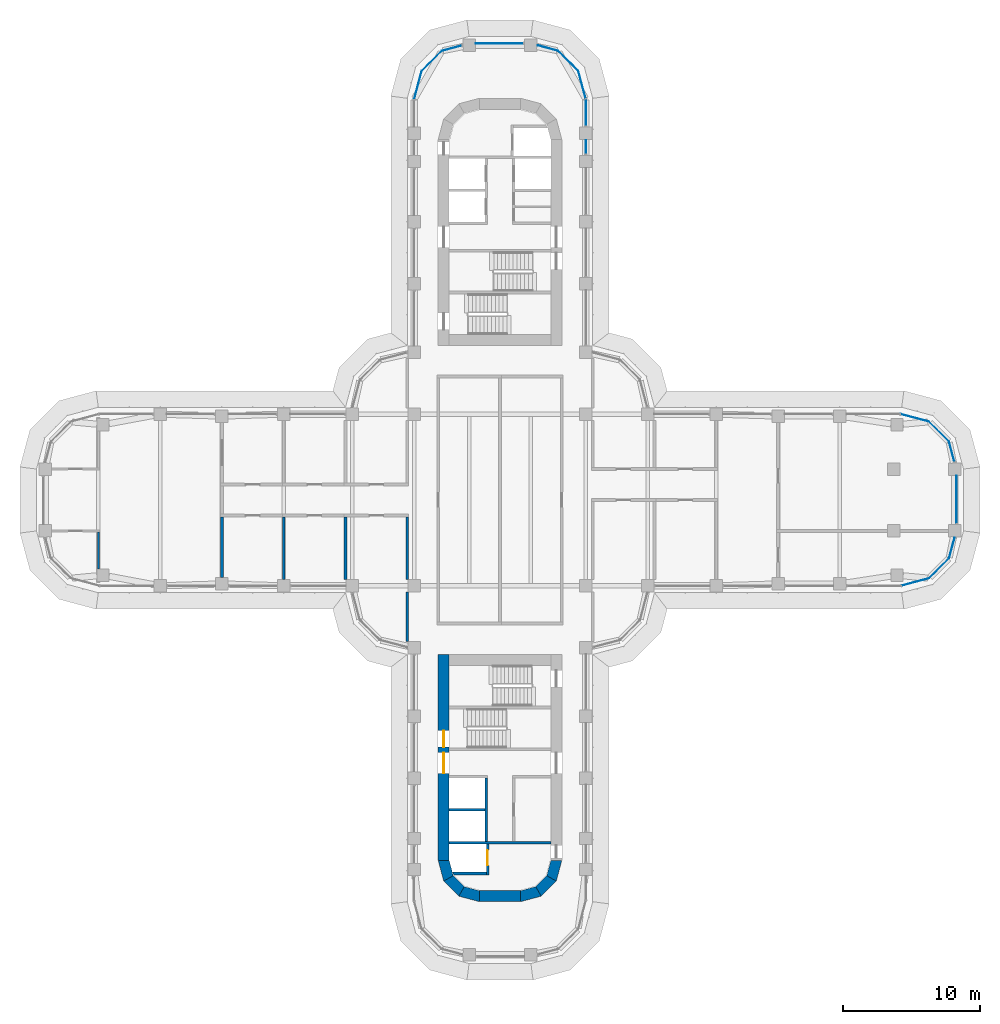
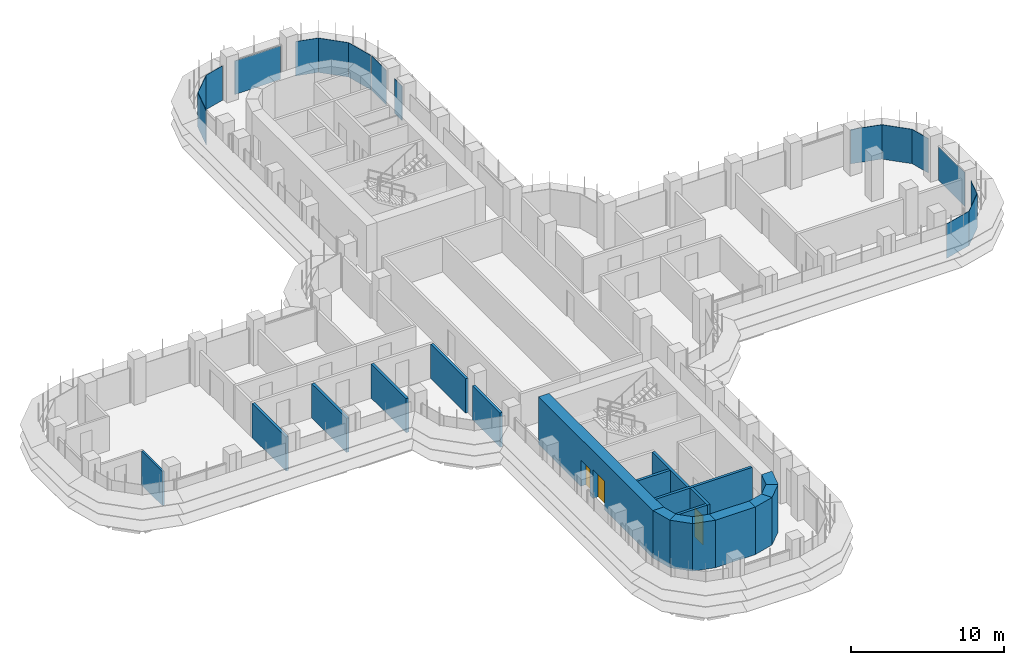
# One storey, part 16 of 23: 19 walls, 16 plates, 3 doors, 3 openings, 15 elements without a shape of their own.
"""IFC4 building model written with IfcOpenShell, lengths in metres."""

from ifc_helpers import new_model, si_unit, direction, frame, frame_2d, origin, place, context, subcontext, project, spatial, polyline, rectangle, outline, extrude, source, transform, mapped, material, layer, layer_set, type_object, element, fill, aggregate, save


model = new_model("IFC4")

# Units and contexts
model_context = context("Model", 3, precision=1e-05, world=origin(), true_north=direction((0.0, 1.0)))
body_context = subcontext(model_context, "Body", "Model", "MODEL_VIEW")
ifc_project = project(units=[si_unit("LENGTHUNIT", "METRE"), si_unit("AREAUNIT", "SQUARE_METRE"), si_unit("VOLUMEUNIT", "CUBIC_METRE"), si_unit("PLANEANGLEUNIT", "RADIAN"), si_unit("MASSUNIT", "GRAM", prefix="KILO")], contexts=[model_context])

# Site, building, storey
site_placement = place(None, origin())
site = spatial("IfcSite", under=ifc_project, at=site_placement, CompositionType="ELEMENT")
building_placement = place(site_placement, origin())
building = spatial("IfcBuilding", under=site, at=building_placement, Name="Zarbagh Exchange Tower", CompositionType="ELEMENT")
storey_placement = place(building_placement, frame((0.0, 0.0, 86.60009765625)))
storey = spatial("IfcBuildingStorey", under=building, at=storey_placement, Name="L19", CompositionType="ELEMENT", Elevation=86.60009765625)

# Curtain wall, plate
ifc_material_1 = material(Name="Anodised aluminium frame and glazing", Category="aluminium")
curtain_wall_type = type_object("IfcCurtainWallType", Name="CWA Ribbon glazing, lower zones", PredefinedType="NOTDEFINED", material=ifc_material_1)
curtain_wall_1_placement = place(storey_placement, origin())
curtain_wall_1 = element("IfcCurtainWall", 1, at=curtain_wall_1_placement, inside=storey, type_object=curtain_wall_type, Name="CWA13 curtain wall", PredefinedType="NOTDEFINED")
ifc_material_2 = material(Name="Low-e double glazed unit, 6+12+6 mm")
ifc_layer_1 = layer(ifc_material_2, 0.028076171875)
ifc_layer_set_1 = layer_set([ifc_layer_1], Name="PAA Glazing panel, Low-e double glazed unit, 6+12+6 mm")
plate_type = type_object("IfcPlateType", Name="PAA Glazing panel, Low-e double glazed unit, 6+12+6 mm", PredefinedType="CURTAIN_PANEL", material=ifc_layer_set_1)
shared_shape_1 = source(origin(), body_context, "Body", "SweptSolid", [
    extrude(outline(polyline([(0.0, -0.013916015625), (1.494140625, -0.013916015625), (1.494140625, 0.013916015625), (0.0, 0.013916015625), (0.0, -0.013916015625)])), origin(), (0.0, 0.0, 1.0), 2.75),
])
placement = place(storey_placement, origin())
plate_1 = element("IfcPlate", 2, at=placement, type_object=plate_type, Name="CWA13 glazing panel 1.1", PredefinedType="CURTAIN_PANEL", context=body_context, shape_type="MappedRepresentation", body=[
    mapped(shared_shape_1, transform((33.08544921875, 2.7978515625, 0.0), x_axis=(-0.258824779902, 0.965924289636, 0.0), y_axis=(-0.965924289636, -0.258824779902, 0.0), z_axis=(0.0, 0.0, 1.0))),
])
aggregate(curtain_wall_1, [plate_1])

curtain_wall_2_placement = place(storey_placement, origin())
curtain_wall_2 = element("IfcCurtainWall", 3, at=curtain_wall_2_placement, inside=storey, type_object=curtain_wall_type, Name="CWA25 curtain wall", PredefinedType="NOTDEFINED")
plate_2 = element("IfcPlate", 4, at=placement, type_object=plate_type, Name="CWA25 glazing panel 1.1", PredefinedType="CURTAIN_PANEL", context=body_context, shape_type="MappedRepresentation", body=[
    mapped(shared_shape_1, transform((-2.7978515625, 33.08544921875, 0.0), x_axis=(-0.965924289636, -0.258824779902, 0.0), y_axis=(0.258824779902, -0.965924289636, 0.0), z_axis=(0.0, 0.0, 1.0))),
])
aggregate(curtain_wall_2, [plate_2])

curtain_wall_3_placement = place(storey_placement, origin())
curtain_wall_3 = element("IfcCurtainWall", 5, at=curtain_wall_3_placement, inside=storey, type_object=curtain_wall_type, Name="CWA10 curtain wall", PredefinedType="NOTDEFINED")
shared_shape_2 = source(origin(), body_context, "Body", "SweptSolid", [
    extrude(outline(polyline([(0.0, -0.013916015625), (2.061279296875, -0.013916015625), (2.061279296875, 0.013916015625), (0.0, 0.013916015625), (0.0, -0.013916015625)])), origin(), (0.0, 0.0, 1.0), 2.75),
])
plate_3 = element("IfcPlate", 6, at=placement, type_object=plate_type, Name="CWA10 glazing panel 1.1", PredefinedType="CURTAIN_PANEL", context=body_context, shape_type="MappedRepresentation", body=[
    mapped(shared_shape_2, transform((31.2412109375, -5.69873046875, 0.0), x_axis=(0.707106781187, 0.707106781187, 0.0), y_axis=(-0.707106781187, 0.707106781187, 0.0), z_axis=(0.0, 0.0, 1.0))),
])
aggregate(curtain_wall_3, [plate_3])

curtain_wall_4_placement = place(storey_placement, origin())
curtain_wall_4 = element("IfcCurtainWall", 7, at=curtain_wall_4_placement, inside=storey, type_object=curtain_wall_type, Name="CWA14 curtain wall", PredefinedType="NOTDEFINED")
plate_4 = element("IfcPlate", 8, at=placement, type_object=plate_type, Name="CWA14 glazing panel 1.1", PredefinedType="CURTAIN_PANEL", context=body_context, shape_type="MappedRepresentation", body=[
    mapped(shared_shape_2, transform((32.69873046875, 4.2412109375, 0.0), x_axis=(-0.707106781187, 0.707106781187, 0.0), y_axis=(-0.707106781187, -0.707106781187, 0.0), z_axis=(0.0, 0.0, 1.0))),
])
aggregate(curtain_wall_4, [plate_4])

curtain_wall_5_placement = place(storey_placement, origin())
curtain_wall_5 = element("IfcCurtainWall", 9, at=curtain_wall_5_placement, inside=storey, type_object=curtain_wall_type, Name="CWA22 curtain wall", PredefinedType="NOTDEFINED")
plate_5 = element("IfcPlate", 10, at=placement, type_object=plate_type, Name="CWA22 glazing panel 1.1", PredefinedType="CURTAIN_PANEL", context=body_context, shape_type="MappedRepresentation", body=[
    mapped(shared_shape_2, transform((5.69873046875, 31.2412109375, 0.0), x_axis=(-0.707106781187, 0.707106781187, 0.0), y_axis=(-0.707106781187, -0.707106781187, 0.0), z_axis=(0.0, 0.0, 1.0))),
])
aggregate(curtain_wall_5, [plate_5])

curtain_wall_6_placement = place(storey_placement, origin())
curtain_wall_6 = element("IfcCurtainWall", 11, at=curtain_wall_6_placement, inside=storey, type_object=curtain_wall_type, Name="CWA26 curtain wall", PredefinedType="NOTDEFINED")
plate_6 = element("IfcPlate", 12, at=placement, type_object=plate_type, Name="CWA26 glazing panel 1.1", PredefinedType="CURTAIN_PANEL", context=body_context, shape_type="MappedRepresentation", body=[
    mapped(shared_shape_2, transform((-4.2412109375, 32.69873046875, 0.0), x_axis=(-0.707106781187, -0.707106781187, 0.0), y_axis=(0.707106781187, -0.707106781187, 0.0), z_axis=(0.0, 0.0, 1.0))),
])
aggregate(curtain_wall_6, [plate_6])

curtain_wall_7_placement = place(storey_placement, origin())
curtain_wall_7 = element("IfcCurtainWall", 13, at=curtain_wall_7_placement, inside=storey, type_object=curtain_wall_type, Name="CWA15 curtain wall", PredefinedType="NOTDEFINED")
shared_shape_3 = source(origin(), body_context, "Body", "SweptSolid", [
    extrude(outline(polyline([(0.0, -0.013916015625), (2.129638671875, -0.013916015625), (2.129638671875, 0.013916015625), (0.0, 0.013916015625), (0.0, -0.013916015625)])), origin(), (0.0, 0.0, 1.0), 2.75),
])
plate_7 = element("IfcPlate", 14, at=placement, type_object=plate_type, Name="CWA15 glazing panel 1.1", PredefinedType="CURTAIN_PANEL", context=body_context, shape_type="MappedRepresentation", body=[
    mapped(shared_shape_3, transform((31.2412109375, 5.69873046875, 0.0), x_axis=(-0.965924289636, 0.258824779902, 0.0), y_axis=(-0.258824779902, -0.965924289636, 0.0), z_axis=(0.0, 0.0, 1.0))),
])
aggregate(curtain_wall_7, [plate_7])

curtain_wall_8_placement = place(storey_placement, origin())
curtain_wall_8 = element("IfcCurtainWall", 15, at=curtain_wall_8_placement, inside=storey, type_object=curtain_wall_type, Name="CWA27 curtain wall", PredefinedType="NOTDEFINED")
plate_8 = element("IfcPlate", 16, at=placement, type_object=plate_type, Name="CWA27 glazing panel 1.1", PredefinedType="CURTAIN_PANEL", context=body_context, shape_type="MappedRepresentation", body=[
    mapped(shared_shape_3, transform((-5.69873046875, 31.2412109375, 0.0), x_axis=(-0.258824779902, -0.965924289636, 0.0), y_axis=(0.965924289636, -0.258824779902, 0.0), z_axis=(0.0, 0.0, 1.0))),
])
aggregate(curtain_wall_8, [plate_8])

curtain_wall_9_placement = place(storey_placement, origin())
curtain_wall_9 = element("IfcCurtainWall", 17, at=curtain_wall_9_placement, inside=storey, type_object=curtain_wall_type, Name="CWA09 curtain wall", PredefinedType="NOTDEFINED")
shared_shape_4 = source(origin(), body_context, "Body", "SweptSolid", [
    extrude(outline(polyline([(0.0, -0.013916015625), (2.069580078125, -0.013916015625), (2.069580078125, 0.013916015625), (0.0, 0.013916015625), (0.0, -0.013916015625)])), origin(), (0.0, 0.0, 1.0), 2.75),
])
plate_9 = element("IfcPlate", 18, at=placement, type_object=plate_type, Name="CWA09 glazing panel 1.1", PredefinedType="CURTAIN_PANEL", context=body_context, shape_type="MappedRepresentation", body=[
    mapped(shared_shape_4, transform((29.2421875, -6.234375, 0.0), x_axis=(0.965924289636, 0.258824779902, 0.0), y_axis=(-0.258824779902, 0.965924289636, 0.0), z_axis=(0.0, 0.0, 1.0))),
])
aggregate(curtain_wall_9, [plate_9])

curtain_wall_10_placement = place(storey_placement, origin())
curtain_wall_10 = element("IfcCurtainWall", 19, at=curtain_wall_10_placement, inside=storey, type_object=curtain_wall_type, Name="CWA21 curtain wall", PredefinedType="NOTDEFINED")
plate_10 = element("IfcPlate", 20, at=placement, type_object=plate_type, Name="CWA21 glazing panel 1.1", PredefinedType="CURTAIN_PANEL", context=body_context, shape_type="MappedRepresentation", body=[
    mapped(shared_shape_4, transform((6.234375, 29.2421875, 0.0), x_axis=(-0.258824779902, 0.965924289636, 0.0), y_axis=(-0.965924289636, -0.258824779902, 0.0), z_axis=(0.0, 0.0, 1.0))),
])
aggregate(curtain_wall_10, [plate_10])

curtain_wall_11_placement = place(storey_placement, origin())
curtain_wall_11 = element("IfcCurtainWall", 21, at=curtain_wall_11_placement, inside=storey, type_object=curtain_wall_type, Name="CWA11 curtain wall", PredefinedType="NOTDEFINED")
shared_shape_5 = source(origin(), body_context, "Body", "SweptSolid", [
    extrude(outline(polyline([(0.0, -0.013916015625), (1.55419921875, -0.013916015625), (1.55419921875, 0.013916015625), (0.0, 0.013916015625), (0.0, -0.013916015625)])), origin(), (0.0, 0.0, 1.0), 2.75),
])
plate_11 = element("IfcPlate", 22, at=placement, type_object=plate_type, Name="CWA11 glazing panel 1.1", PredefinedType="CURTAIN_PANEL", context=body_context, shape_type="MappedRepresentation", body=[
    mapped(shared_shape_5, transform((32.69873046875, -4.2412109375, 0.0), x_axis=(0.258824779902, 0.965924289636, 0.0), y_axis=(-0.965924289636, 0.258824779902, 0.0), z_axis=(0.0, 0.0, 1.0))),
])
aggregate(curtain_wall_11, [plate_11])

curtain_wall_12_placement = place(storey_placement, origin())
curtain_wall_12 = element("IfcCurtainWall", 23, at=curtain_wall_12_placement, inside=storey, type_object=curtain_wall_type, Name="CWA23 curtain wall", PredefinedType="NOTDEFINED")
plate_12 = element("IfcPlate", 24, at=placement, type_object=plate_type, Name="CWA23 glazing panel 1.1", PredefinedType="CURTAIN_PANEL", context=body_context, shape_type="MappedRepresentation", body=[
    mapped(shared_shape_5, transform((4.2412109375, 32.69873046875, 0.0), x_axis=(-0.965924289636, 0.258824779902, 0.0), y_axis=(-0.258824779902, -0.965924289636, 0.0), z_axis=(0.0, 0.0, 1.0))),
])
aggregate(curtain_wall_12, [plate_12])

curtain_wall_13_placement = place(storey_placement, origin())
curtain_wall_13 = element("IfcCurtainWall", 25, at=curtain_wall_13_placement, inside=storey, type_object=curtain_wall_type, Name="CWA12 curtain wall", PredefinedType="NOTDEFINED")
shared_shape_6 = source(origin(), body_context, "Body", "SweptSolid", [
    extrude(outline(polyline([(0.0, -0.013916015625), (3.4599609375, -0.013916015625), (3.4599609375, 0.013916015625), (0.0, 0.013916015625), (0.0, -0.013916015625)])), origin(), (0.0, 0.0, 1.0), 2.68994140625),
])
plate_13 = element("IfcPlate", 26, at=placement, type_object=plate_type, Name="CWA12 glazing panel 1.1", PredefinedType="CURTAIN_PANEL", context=body_context, shape_type="MappedRepresentation", body=[
    mapped(shared_shape_6, transform((33.25, -1.699951171875, 0.0), x_axis=(0.0, 1.0, 0.0), y_axis=(-1.0, 0.0, 0.0), z_axis=(0.0, 0.0, 1.0))),
])
aggregate(curtain_wall_13, [plate_13])

curtain_wall_14_placement = place(storey_placement, origin())
curtain_wall_14 = element("IfcCurtainWall", 27, at=curtain_wall_14_placement, inside=storey, type_object=curtain_wall_type, Name="CWA24 curtain wall", PredefinedType="NOTDEFINED")
plate_14 = element("IfcPlate", 28, at=placement, type_object=plate_type, Name="CWA24 glazing panel 1.1", PredefinedType="CURTAIN_PANEL", context=body_context, shape_type="MappedRepresentation", body=[
    mapped(shared_shape_6, transform((1.699951171875, 33.25, 0.0), x_axis=(-1.0, 0.0, 0.0), y_axis=(0.0, -1.0, 0.0), z_axis=(0.0, 0.0, 1.0))),
])
aggregate(curtain_wall_14, [plate_14])

# Curtain wall, plates
curtain_wall_15_placement = place(storey_placement, origin())
curtain_wall_15 = element("IfcCurtainWall", 29, at=curtain_wall_15_placement, inside=storey, type_object=curtain_wall_type, Name="CWA20 curtain wall", PredefinedType="NOTDEFINED")
shared_shape_7 = source(origin(), body_context, "Body", "SweptSolid", [
    extrude(outline(polyline([(0.0, -0.013916015625), (1.010009765625, -0.013916015625), (1.010009765625, 0.013916015625), (0.0, 0.013916015625), (0.0, -0.013916015625)])), origin(), (0.0, 0.0, 1.0), 2.75),
])
plate_15 = element("IfcPlate", 30, at=placement, type_object=plate_type, Name="CWA20 glazing panel 4.1", PredefinedType="CURTAIN_PANEL", context=body_context, shape_type="MappedRepresentation", body=[
    mapped(shared_shape_7, transform((6.25, 25.199951171875, 0.0), x_axis=(0.0, 1.0, 0.0), y_axis=(-1.0, 0.0, 0.0), z_axis=(0.0, 0.0, 1.0))),
])
shared_shape_8 = source(origin(), body_context, "Body", "SweptSolid", [
    extrude(outline(polyline([(0.0, -0.013916015625), (1.93408203125, -0.013916015625), (1.93408203125, 0.013916015625), (0.0, 0.013916015625), (0.0, -0.013916015625)])), origin(), (0.0, 0.0, 1.0), 2.75),
])
plate_16 = element("IfcPlate", 31, at=placement, type_object=plate_type, Name="CWA20 glazing panel 5.1", PredefinedType="CURTAIN_PANEL", context=body_context, shape_type="MappedRepresentation", body=[
    mapped(shared_shape_8, transform((6.25, 27.25, 0.0), x_axis=(0.0, 1.0, 0.0), y_axis=(-1.0, 0.0, 0.0), z_axis=(0.0, 0.0, 1.0))),
])
aggregate(curtain_wall_15, [plate_15, plate_16])

# Walls
ifc_material_3 = material(Name="Plasterboard partition")
ifc_layer_2 = layer(ifc_material_3, 0.14990234375)
ifc_layer_set_2 = layer_set([ifc_layer_2], Name="PARTITION 150")
wall_type_1 = type_object("IfcWallType", Name="PARTITION 150", PredefinedType="PARTITIONING", material=ifc_layer_set_2)
wall_1_placement = place(storey_placement, frame((-29.25, -5.02490234375, 0.0), z_axis=(0.0, 0.0, 1.0), x_axis=(0.0, 1.0, 0.0)))
element("IfcWall", 32, at=wall_1_placement, inside=storey, type_object=wall_type_1, Name="Partition W-643", PredefinedType="PARTITIONING", context=body_context, shape_type="SweptSolid", body=[
    extrude(rectangle(XDim=2.699951171875, YDim=0.14990234375, at=frame_2d((1.35009765625, 0.0))), origin(), (0.0, 0.0, 1.0), 2.738037109375),
])
ifc_material_4 = material(Name="Fire-rated plasterboard partition")
ifc_layer_3 = layer(ifc_material_4, 0.199951171875)
ifc_layer_set_3 = layer_set([ifc_layer_3], Name="RATED PARTITION 200")
wall_type_2 = type_object("IfcWallType", Name="RATED PARTITION 200", PredefinedType="PARTITIONING", material=ifc_layer_set_3)
wall_2_placement = place(storey_placement, frame((-6.75, -10.300048828125, 0.0), z_axis=(0.0, 0.0, 1.0), x_axis=(0.0, 1.0, 0.0)))
element("IfcWall", 33, at=wall_2_placement, inside=storey, type_object=wall_type_2, Name="Partition W-604", PredefinedType="PARTITIONING", context=body_context, shape_type="SweptSolid", body=[
    extrude(rectangle(XDim=3.60009765625, YDim=0.199951171875, at=frame_2d((1.800048828125, 0.0))), origin(), (0.0, 0.0, 1.0), 2.738037109375),
])
for number, where, z_axis, x_axis, name in (
    (34, (-6.75, -5.800048828125, 0.0), (0.0, 0.0, 1.0), (0.0, 1.0, 0.0), "Partition W-605"),
    (35, (-11.25, -5.800048828125, 0.0), (0.0, 0.0, 1.0), (0.0, 1.0, 0.0), "Partition W-636"),
    (36, (-15.75, -5.800048828125, 0.0), (0.0, 0.0, 1.0), (0.0, 1.0, 0.0), "Partition W-639"),
):
    element("IfcWall", number, at=place(storey_placement, frame(where, z_axis=z_axis, x_axis=x_axis)), inside=storey, type_object=wall_type_2, Name=name, PredefinedType="PARTITIONING", context=body_context, shape_type="SweptSolid", body=[
        extrude(rectangle(XDim=4.574951171875, YDim=0.199951171875, at=frame_2d((2.28759765625, 0.0))), origin(), (0.0, 0.0, 1.0), 2.738037109375),
    ])
wall_3_placement = place(storey_placement, frame((-20.25, -5.659912109375, 0.0), z_axis=(0.0, 0.0, 1.0), x_axis=(0.0, 1.0, 0.0)))
element("IfcWall", 37, at=wall_3_placement, inside=storey, type_object=wall_type_2, Name="Partition W-640", PredefinedType="PARTITIONING", context=body_context, shape_type="SweptSolid", body=[
    extrude(rectangle(XDim=4.434814453125, YDim=0.199951171875, at=frame_2d((2.21728515625, 0.0))), origin(), (0.0, 0.0, 1.0), 2.738037109375),
])
ifc_material_5 = material(Name="Concrete C60/75", Category="concrete")
ifc_layer_4 = layer(ifc_material_5, 0.800048828125)
ifc_layer_set_4 = layer_set([ifc_layer_4], Name="RC core corner wall 800 C60/75")
wall_type_3 = type_object("IfcWallType", Name="RC core corner wall 800 C60/75", PredefinedType="SHEAR", material=ifc_layer_set_4)
wall_4_placement = place(storey_placement, origin())
element("IfcWall", 38, at=wall_4_placement, inside=storey, type_object=wall_type_3, Name="CW4 core S corner W", PredefinedType="SHEAR", context=body_context, shape_type="SweptSolid", body=[
    extrude(outline(polyline([(-4.5, -26.25), (-4.09814453125, -27.75), (-3.4052734375, -27.35009765625), (-3.699951171875, -26.25), (-4.5, -26.25)])), origin(), (0.0, 0.0, 1.0), 3.7998046875),
])
wall_5_placement = place(storey_placement, origin())
element("IfcWall", 39, at=wall_5_placement, inside=storey, type_object=wall_type_3, Name="CW4 core S corner W", PredefinedType="SHEAR", context=body_context, shape_type="SweptSolid", body=[
    extrude(outline(polyline([(-4.09814453125, -27.75), (-3.0, -28.84814453125), (-2.60009765625, -28.1552734375), (-3.4052734375, -27.35009765625), (-4.09814453125, -27.75)])), origin(), (0.0, 0.0, 1.0), 3.7998046875),
])
wall_6_placement = place(storey_placement, origin())
element("IfcWall", 40, at=wall_6_placement, inside=storey, type_object=wall_type_3, Name="CW4 core S corner W", PredefinedType="SHEAR", context=body_context, shape_type="SweptSolid", body=[
    extrude(outline(polyline([(-3.0, -28.84814453125), (-1.5, -29.25), (-1.5, -28.449951171875), (-2.60009765625, -28.1552734375), (-3.0, -28.84814453125)])), origin(), (0.0, 0.0, 1.0), 3.7998046875),
])
wall_7_placement = place(storey_placement, origin())
element("IfcWall", 41, at=wall_7_placement, inside=storey, type_object=wall_type_3, Name="CW4 core S corner E", PredefinedType="SHEAR", context=body_context, shape_type="SweptSolid", body=[
    extrude(outline(polyline([(4.5, -26.25), (4.09814453125, -27.75), (3.4052734375, -27.35009765625), (3.699951171875, -26.25), (4.5, -26.25)])), origin(), (0.0, 0.0, 1.0), 3.7998046875),
])
wall_8_placement = place(storey_placement, origin())
element("IfcWall", 42, at=wall_8_placement, inside=storey, type_object=wall_type_3, Name="CW4 core S corner E", PredefinedType="SHEAR", context=body_context, shape_type="SweptSolid", body=[
    extrude(outline(polyline([(4.09814453125, -27.75), (3.0, -28.84814453125), (2.60009765625, -28.1552734375), (3.4052734375, -27.35009765625), (4.09814453125, -27.75)])), origin(), (0.0, 0.0, 1.0), 3.7998046875),
])
wall_9_placement = place(storey_placement, origin())
element("IfcWall", 43, at=wall_9_placement, inside=storey, type_object=wall_type_3, Name="CW4 core S corner E", PredefinedType="SHEAR", context=body_context, shape_type="SweptSolid", body=[
    extrude(outline(polyline([(3.0, -28.84814453125), (1.5, -29.25), (1.5, -28.449951171875), (2.60009765625, -28.1552734375), (3.0, -28.84814453125)])), origin(), (0.0, 0.0, 1.0), 3.7998046875),
])

# Wall, openings, doors
ifc_layer_5 = layer(ifc_material_5, 0.800048828125)
ifc_layer_set_5 = layer_set([ifc_layer_5], Name="RC core wall 800 C60/75")
wall_type_4 = type_object("IfcWallType", Name="RC core wall 800 C60/75", PredefinedType="SHEAR", material=ifc_layer_set_5)
wall_10_placement = place(storey_placement, frame((-4.10009765625, -11.25, 0.0), z_axis=(0.0, 0.0, 1.0), x_axis=(0.0, -1.0, 0.0)))
wall_10 = element("IfcWall", 44, at=wall_10_placement, inside=storey, type_object=wall_type_4, Name="CW3 core S W", PredefinedType="SHEAR", context=body_context, shape_type="SweptSolid", body=[
    extrude(rectangle(XDim=15.0, YDim=0.800048828125, at=frame_2d((7.5, 0.0))), origin(), (0.0, 0.0, 1.0), 3.7998046875),
])
opening_1_placement = place(wall_10_placement, frame((7.14990234375, 0.0, 0.0)))
opening_1 = element("IfcOpeningElement", 45, at=opening_1_placement, cuts=wall_10, Name="Opening CD1-1500", PredefinedType="OPENING", context=body_context, shape_type="SweptSolid", body=[
    extrude(rectangle(XDim=1.5, YDim=2.300048828125, at=frame_2d((0.75, 1.14990234375))), frame((0.0, 0.409912109375, 0.0), z_axis=(0.0, -1.0, 0.0), x_axis=(1.0, 0.0, 0.0)), (0.0, 0.0, 1.0), 0.820068359375),
])
opening_2_placement = place(wall_10_placement, frame((5.550048828125, 0.0, 0.0)))
opening_2 = element("IfcOpeningElement", 46, at=opening_2_placement, cuts=wall_10, Name="Opening SD1-1200", PredefinedType="OPENING", context=body_context, shape_type="SweptSolid", body=[
    extrude(rectangle(XDim=1.199951171875, YDim=2.10009765625, at=frame_2d((0.60009765625, 1.050048828125))), frame((0.0, 0.409912109375, 0.0), z_axis=(0.0, -1.0, 0.0), x_axis=(1.0, 0.0, 0.0)), (0.0, 0.0, 1.0), 0.820068359375),
])
ifc_material_6 = material(Name="Steel", Category="steel")
door_type_1 = type_object("IfcDoorType", Name="Exit stair door 1200 x 2100", OperationType="NOTDEFINED", PredefinedType="DOOR", material=ifc_material_6)
door_1_placement = place(opening_2_placement, origin())
door_1 = element("IfcDoor", 47, at=door_1_placement, inside=storey, type_object=door_type_1, Name="South core stair door ST1", OperationType="SINGLE_SWING_RIGHT", OverallHeight=2.10009765625, OverallWidth=1.199951171875, PredefinedType="DOOR", context=body_context, shape_type="SweptSolid", body=[
    extrude(rectangle(XDim=1.199951171875, YDim=2.10009765625, at=frame_2d((0.60009765625, 1.050048828125))), frame((0.0, 0.02490234375, 0.0), z_axis=(0.0, -1.0, 0.0), x_axis=(1.0, 0.0, 0.0)), (0.0, 0.0, 1.0), 0.050048828125),
])
fill(opening_2, door_1)
door_type_2 = type_object("IfcDoorType", Name="Lift lobby double door 1500 x 2300", OperationType="NOTDEFINED", PredefinedType="DOOR", material=ifc_material_6)
door_2_placement = place(opening_1_placement, origin())
door_2 = element("IfcDoor", 48, at=door_2_placement, inside=storey, type_object=door_type_2, Name="South core lift lobby door LOBBY-E", OperationType="DOUBLE_DOOR_SINGLE_SWING", OverallHeight=2.300048828125, OverallWidth=1.5, PredefinedType="DOOR", context=body_context, shape_type="SweptSolid", body=[
    extrude(rectangle(XDim=1.5, YDim=2.300048828125, at=frame_2d((0.75, 1.14990234375))), frame((0.0, 0.02490234375, 0.0), z_axis=(0.0, -1.0, 0.0), x_axis=(1.0, 0.0, 0.0)), (0.0, 0.0, 1.0), 0.050048828125),
])
fill(opening_1, door_2)

# Walls
wall_11_placement = place(storey_placement, frame((-1.5, -28.85009765625, 0.0), z_axis=(0.0, 0.0, 1.0), x_axis=(1.0, 0.0, 0.0)))
element("IfcWall", 49, at=wall_11_placement, inside=storey, type_object=wall_type_4, Name="CW3 core S outer end", PredefinedType="SHEAR", context=body_context, shape_type="SweptSolid", body=[
    extrude(rectangle(XDim=3.0, YDim=0.800048828125, at=frame_2d((1.5, 0.0))), origin(), (0.0, 0.0, 1.0), 3.7998046875),
])
ifc_material_7 = material(Name="Dense blockwork", Category="masonry")
ifc_layer_6 = layer(ifc_material_7, 0.199951171875)
ifc_layer_set_6 = layer_set([ifc_layer_6], Name="Shaft wall 200 mm blockwork")
wall_type_5 = type_object("IfcWallType", Name="Shaft wall 200 mm blockwork", PredefinedType="PARTITIONING", material=ifc_layer_set_6)
wall_12_placement = place(storey_placement, frame((-1.0, -24.85009765625, 0.0), z_axis=(0.0, 0.0, 1.0), x_axis=(0.0, 1.0, 0.0)))
element("IfcWall", 50, at=wall_12_placement, inside=storey, type_object=wall_type_5, Name="South core shaft wall LW-E", PredefinedType="PARTITIONING", context=body_context, shape_type="SweptSolid", body=[
    extrude(rectangle(XDim=4.60009765625, YDim=0.199951171875, at=frame_2d((2.300048828125, 0.0))), origin(), (0.0, 0.0, 1.0), 3.64990234375),
])
wall_13_placement = place(storey_placement, frame((-1.10009765625, -22.550048828125, 0.0), z_axis=(0.0, 0.0, 1.0), x_axis=(-1.0, 0.0, 0.0)))
element("IfcWall", 51, at=wall_13_placement, inside=storey, type_object=wall_type_5, Name="South core shaft wall TR-E", PredefinedType="PARTITIONING", context=body_context, shape_type="SweptSolid", body=[
    extrude(rectangle(XDim=2.599853515625, YDim=0.199951171875, at=frame_2d((1.2998046875, 0.0))), origin(), (0.0, 0.0, 1.0), 3.64990234375),
])
ifc_material_8 = material(Name="Concrete C40/50", Category="concrete")
ifc_layer_7 = layer(ifc_material_8, 0.199951171875)
ifc_layer_set_7 = layer_set([ifc_layer_7], Name="Stair enclosure wall 200 mm RC C40/50")
wall_type_6 = type_object("IfcWallType", Name="Stair enclosure wall 200 mm RC C40/50", PredefinedType="SHEAR", material=ifc_layer_set_7)
wall_14_placement = place(storey_placement, frame((3.699951171875, -24.949951171875, 0.0), z_axis=(0.0, 0.0, 1.0), x_axis=(-1.0, 0.0, 0.0)))
element("IfcWall", 52, at=wall_14_placement, inside=storey, type_object=wall_type_6, Name="South core lift shaft wall FFA", PredefinedType="SHEAR", context=body_context, shape_type="SweptSolid", body=[
    extrude(rectangle(XDim=7.39990234375, YDim=0.199951171875, at=frame_2d((3.699951171875, 0.0))), origin(), (0.0, 0.0, 1.0), 3.64990234375),
])

# Wall, opening, door
wall_15_placement = place(storey_placement, frame((-0.89990234375, -27.300048828125, 0.0), z_axis=(0.0, 0.0, 1.0), x_axis=(0.0, 1.0, 0.0)))
wall_15 = element("IfcWall", 53, at=wall_15_placement, inside=storey, type_object=wall_type_6, Name="South core lift shaft wall FFL", PredefinedType="SHEAR", context=body_context, shape_type="SweptSolid", body=[
    extrude(rectangle(XDim=2.25, YDim=0.199951171875, at=frame_2d((1.125, 0.0))), origin(), (0.0, 0.0, 1.0), 3.64990234375),
])
opening_3_placement = place(wall_15_placement, frame((0.699951171875, 0.0, 0.0)))
opening_3 = element("IfcOpeningElement", 54, at=opening_3_placement, cuts=wall_15, Name="Opening LD-1100", PredefinedType="OPENING", context=body_context, shape_type="SweptSolid", body=[
    extrude(rectangle(XDim=1.10009765625, YDim=2.300048828125, at=frame_2d((0.550048828125, 1.14990234375))), frame((0.0, 0.10986328125, 0.0), z_axis=(0.0, -1.0, 0.0), x_axis=(1.0, 0.0, 0.0)), (0.0, 0.0, 1.0), 0.219970703125),
])
ifc_material_9 = material(Name="Stainless steel", Category="steel")
door_type_3 = type_object("IfcDoorType", Name="Lift landing door 1100 x 2300", OperationType="NOTDEFINED", PredefinedType="DOOR", material=ifc_material_9)
door_3_placement = place(opening_3_placement, origin())
door_3 = element("IfcDoor", 55, at=door_3_placement, inside=storey, type_object=door_type_3, Name="South core lift landing door LD-F", OperationType="DOUBLE_DOOR_SLIDING", OverallHeight=2.300048828125, OverallWidth=1.10009765625, PredefinedType="DOOR", context=body_context, shape_type="SweptSolid", body=[
    extrude(rectangle(XDim=1.10009765625, YDim=2.300048828125, at=frame_2d((0.550048828125, 1.14990234375))), frame((0.0, 0.02490234375, 0.0), z_axis=(0.0, -1.0, 0.0), x_axis=(1.0, 0.0, 0.0)), (0.0, 0.0, 1.0), 0.050048828125),
])
fill(opening_3, door_3)

# Wall
wall_16_placement = place(storey_placement, origin())
element("IfcWall", 56, at=wall_16_placement, inside=storey, type_object=wall_type_6, Name="South core lift shaft wall FFX", PredefinedType="SHEAR", context=body_context, shape_type="SweptSolid", body=[
    extrude(outline(polyline([(-1.0, -27.10009765625), (-3.444091796875, -27.10009765625), (-3.390380859375, -27.300048828125), (-1.0, -27.300048828125), (-1.0, -27.10009765625)])), origin(), (0.0, 0.0, 1.0), 3.64990234375),
])

save(model, "model.ifc")
